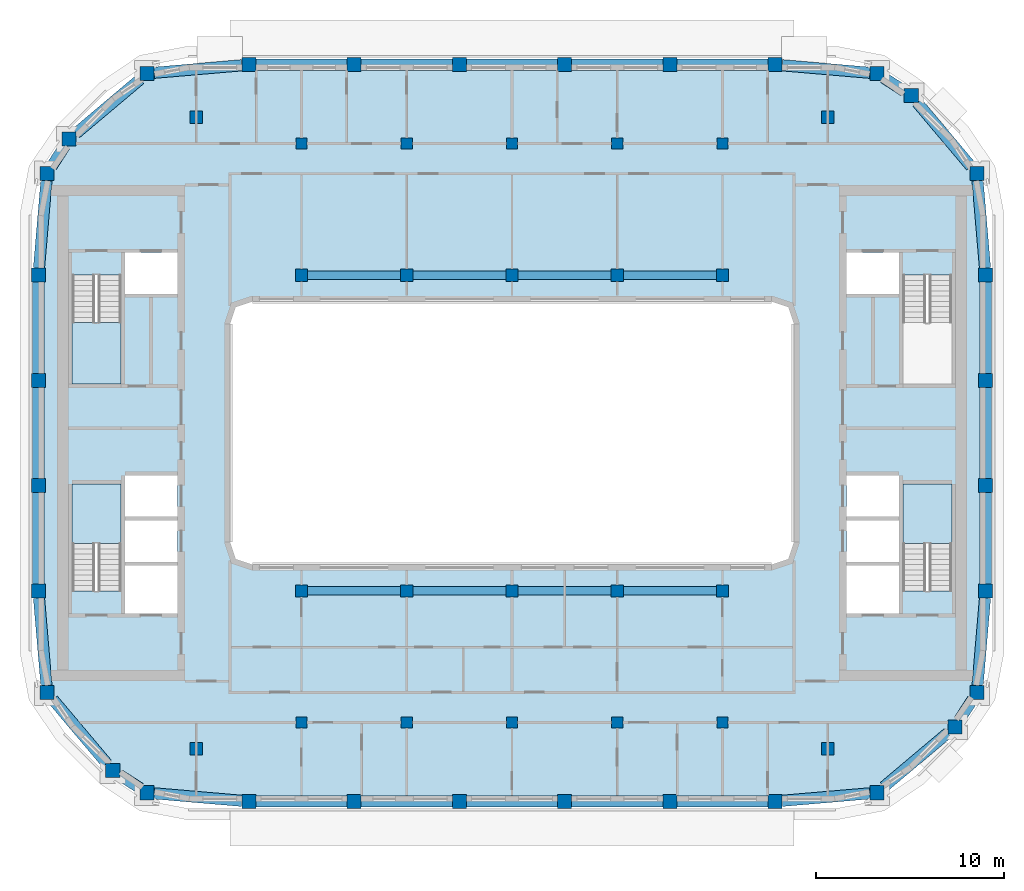
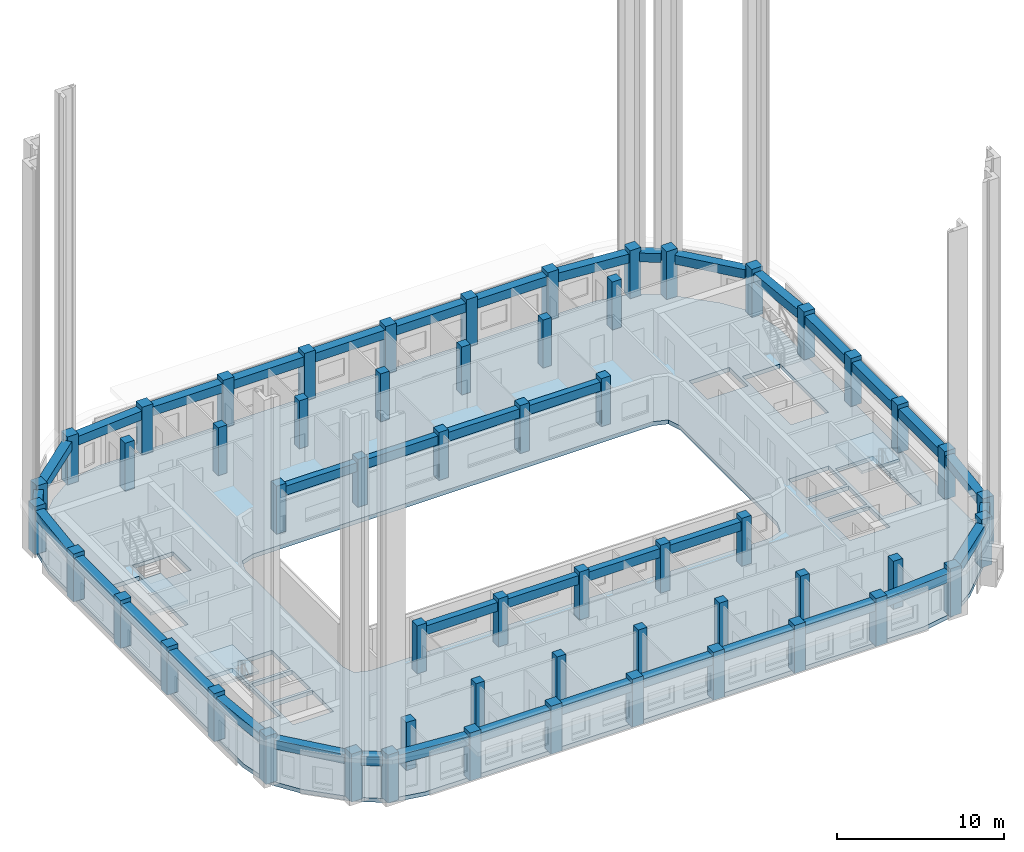
# One storey, part 1 of 15: 56 columns, 40 beams, 4 slabs, 3 elements without a shape of their own.
"""IFC4 building model written with IfcOpenShell, lengths in metres."""

from ifc_helpers import new_model, si_unit, direction, frame, origin, origin_2d, place, context, subcontext, project, spatial, polyline, rectangle, outline, extrude, material, layer, layer_set, material_profile, profile_set, type_object, element, aggregate, save


model = new_model("IFC4")

# Units and contexts
model_context = context("Model", 3, precision=1e-05, world=origin(), true_north=direction((0.0, 1.0)))
body_context = subcontext(model_context, "Body", "Model", "MODEL_VIEW")
ifc_project = project(units=[si_unit("LENGTHUNIT", "METRE"), si_unit("AREAUNIT", "SQUARE_METRE"), si_unit("VOLUMEUNIT", "CUBIC_METRE"), si_unit("PLANEANGLEUNIT", "RADIAN"), si_unit("MASSUNIT", "GRAM", prefix="KILO")], contexts=[model_context])

# Site, building, storey
site_placement = place(None, origin())
site = spatial("IfcSite", under=ifc_project, at=site_placement, CompositionType="ELEMENT")
building_placement = place(site_placement, origin())
building = spatial("IfcBuilding", under=site, at=building_placement, Name="Kiln Ring Residences", CompositionType="ELEMENT")
storey_placement = place(building_placement, frame((0.0, 0.0, 266.199951171875)))
storey = spatial("IfcBuildingStorey", under=building, at=storey_placement, Name="L69", CompositionType="ELEMENT", Elevation=266.199951171875)

# Columns
ifc_material_1 = material(Name="Concrete C60/75", Category="concrete")
ifc_material_profile_1 = material_profile(ifc_material_1, rectangle(XDim=0.60009765625, YDim=0.60009765625, at=origin_2d()), Name="RC600x600")
ifc_profile_set_1 = profile_set([ifc_material_profile_1], Name="Concrete C60/75")
column_type_1 = type_object("IfcColumnType", Name="Corridor column RC600x600 C60/75", PredefinedType="COLUMN", material=ifc_profile_set_1)
for number, where, z_axis, x_axis, name in (
    (1, (-11.199951171875, 15.39990234375, 0.0), (0.0, 0.0, 1.0), (1.0, 0.0, 0.0), "Corridor column L69 1"),
    (2, (-5.60009765625, 15.39990234375, 0.0), (0.0, 0.0, 1.0), (1.0, 0.0, 0.0), "Corridor column L69 2"),
    (3, (0.0, 15.39990234375, 0.0), (0.0, 0.0, 1.0), (1.0, 0.0, 0.0), "Corridor column L69 3"),
    (4, (5.60009765625, 15.39990234375, 0.0), (0.0, 0.0, 1.0), (1.0, 0.0, 0.0), "Corridor column L69 4"),
    (5, (11.199951171875, 15.39990234375, 0.0), (0.0, 0.0, 1.0), (1.0, 0.0, 0.0), "Corridor column L69 5"),
    (6, (-11.199951171875, -15.39990234375, 0.0), (0.0, 0.0, 1.0), (1.0, 0.0, 0.0), "Corridor column L69 6"),
    (7, (-5.60009765625, -15.39990234375, 0.0), (0.0, 0.0, 1.0), (1.0, 0.0, 0.0), "Corridor column L69 7"),
    (8, (0.0, -15.39990234375, 0.0), (0.0, 0.0, 1.0), (1.0, 0.0, 0.0), "Corridor column L69 8"),
    (9, (5.60009765625, -15.39990234375, 0.0), (0.0, 0.0, 1.0), (1.0, 0.0, 0.0), "Corridor column L69 9"),
    (10, (11.199951171875, -15.39990234375, 0.0), (0.0, 0.0, 1.0), (1.0, 0.0, 0.0), "Corridor column L69 10"),
):
    element("IfcColumn", number, at=place(storey_placement, frame(where, z_axis=z_axis, x_axis=x_axis)), inside=storey, type_object=column_type_1, Name=name, PredefinedType="COLUMN", context=body_context, shape_type="SweptSolid", body=[
        extrude(rectangle(XDim=0.60009765625, YDim=0.60009765625, at=origin_2d()), origin(), (0.0, 0.0, 1.0), 3.5),
    ])
ifc_material_2 = material(Name="Concrete C60/75", Category="concrete")
ifc_material_profile_2 = material_profile(ifc_material_2, rectangle(XDim=0.75, YDim=0.75, at=origin_2d()), Name="RC750x750")
ifc_profile_set_2 = profile_set([ifc_material_profile_2], Name="Concrete C60/75")
column_type_2 = type_object("IfcColumnType", Name="Perimeter column RC750x750 C60/75", PredefinedType="COLUMN", material=ifc_profile_set_2)
for number, where, z_axis, x_axis, name in (
    (11, (-19.40869140625, -19.13818359375, 0.0), (0.0, 0.0, 1.0), (1.0, 0.0, 0.0), "Perimeter column L69 1"),
    (12, (-14.0, -19.60009765625, 0.0), (0.0, 0.0, 1.0), (1.0, 0.0, 0.0), "Perimeter column L69 2"),
    (13, (-8.39990234375, -19.60009765625, 0.0), (0.0, 0.0, 1.0), (1.0, 0.0, 0.0), "Perimeter column L69 3"),
    (14, (-2.800048828125, -19.60009765625, 0.0), (0.0, 0.0, 1.0), (1.0, 0.0, 0.0), "Perimeter column L69 4"),
    (15, (2.800048828125, -19.60009765625, 0.0), (0.0, 0.0, 1.0), (1.0, 0.0, 0.0), "Perimeter column L69 5"),
    (16, (8.39990234375, -19.60009765625, 0.0), (0.0, 0.0, 1.0), (1.0, 0.0, 0.0), "Perimeter column L69 6"),
    (17, (14.0, -19.60009765625, 0.0), (0.0, 0.0, 1.0), (1.0, 0.0, 0.0), "Perimeter column L69 7"),
    (18, (19.40869140625, -19.13818359375, 0.0), (0.0, 0.0, 1.0), (1.0, 0.0, 0.0), "Perimeter column L69 8"),
    (19, (23.559814453125, -15.64013671875, 0.0), (0.0, 0.0, 1.0), (1.0, 0.0, 0.0), "Perimeter column L69 9"),
    (20, (24.738037109375, -13.80859375, 0.0), (0.0, 0.0, 1.0), (1.0, 0.0, 0.0), "Perimeter column L69 10"),
    (21, (25.199951171875, -8.39990234375, 0.0), (0.0, 0.0, 1.0), (1.0, 0.0, 0.0), "Perimeter column L69 11"),
    (22, (25.199951171875, -2.800048828125, 0.0), (0.0, 0.0, 1.0), (1.0, 0.0, 0.0), "Perimeter column L69 12"),
    (23, (25.199951171875, 2.800048828125, 0.0), (0.0, 0.0, 1.0), (1.0, 0.0, 0.0), "Perimeter column L69 13"),
    (24, (25.199951171875, 8.39990234375, 0.0), (0.0, 0.0, 1.0), (1.0, 0.0, 0.0), "Perimeter column L69 14"),
    (25, (24.738037109375, 13.80859375, 0.0), (0.0, 0.0, 1.0), (1.0, 0.0, 0.0), "Perimeter column L69 15"),
    (26, (21.240234375, 17.959716796875, 0.0), (0.0, 0.0, 1.0), (1.0, 0.0, 0.0), "Perimeter column L69 16"),
    (27, (19.40869140625, 19.13818359375, 0.0), (0.0, 0.0, 1.0), (1.0, 0.0, 0.0), "Perimeter column L69 17"),
    (28, (14.0, 19.60009765625, 0.0), (0.0, 0.0, 1.0), (1.0, 0.0, 0.0), "Perimeter column L69 18"),
    (29, (8.39990234375, 19.60009765625, 0.0), (0.0, 0.0, 1.0), (1.0, 0.0, 0.0), "Perimeter column L69 19"),
    (30, (2.800048828125, 19.60009765625, 0.0), (0.0, 0.0, 1.0), (1.0, 0.0, 0.0), "Perimeter column L69 20"),
    (31, (-2.800048828125, 19.60009765625, 0.0), (0.0, 0.0, 1.0), (1.0, 0.0, 0.0), "Perimeter column L69 21"),
    (32, (-8.39990234375, 19.60009765625, 0.0), (0.0, 0.0, 1.0), (1.0, 0.0, 0.0), "Perimeter column L69 22"),
    (33, (-14.0, 19.60009765625, 0.0), (0.0, 0.0, 1.0), (1.0, 0.0, 0.0), "Perimeter column L69 23"),
    (34, (-19.40869140625, 19.13818359375, 0.0), (0.0, 0.0, 1.0), (1.0, 0.0, 0.0), "Perimeter column L69 24"),
    (35, (-23.559814453125, 15.64013671875, 0.0), (0.0, 0.0, 1.0), (1.0, 0.0, 0.0), "Perimeter column L69 25"),
    (36, (-24.738037109375, 13.80859375, 0.0), (0.0, 0.0, 1.0), (1.0, 0.0, 0.0), "Perimeter column L69 26"),
    (37, (-25.199951171875, 8.39990234375, 0.0), (0.0, 0.0, 1.0), (1.0, 0.0, 0.0), "Perimeter column L69 27"),
    (38, (-25.199951171875, 2.800048828125, 0.0), (0.0, 0.0, 1.0), (1.0, 0.0, 0.0), "Perimeter column L69 28"),
    (39, (-25.199951171875, -2.800048828125, 0.0), (0.0, 0.0, 1.0), (1.0, 0.0, 0.0), "Perimeter column L69 29"),
    (40, (-25.199951171875, -8.39990234375, 0.0), (0.0, 0.0, 1.0), (1.0, 0.0, 0.0), "Perimeter column L69 30"),
    (41, (-24.738037109375, -13.80859375, 0.0), (0.0, 0.0, 1.0), (1.0, 0.0, 0.0), "Perimeter column L69 31"),
    (42, (-21.240234375, -17.959716796875, 0.0), (0.0, 0.0, 1.0), (1.0, 0.0, 0.0), "Perimeter column L69 32"),
):
    element("IfcColumn", number, at=place(storey_placement, frame(where, z_axis=z_axis, x_axis=x_axis)), inside=storey, type_object=column_type_2, Name=name, PredefinedType="COLUMN", context=body_context, shape_type="SweptSolid", body=[
        extrude(rectangle(XDim=0.75, YDim=0.75, at=origin_2d()), origin(), (0.0, 0.0, 1.0), 3.5),
    ])
ifc_material_3 = material(Name="Concrete C60/75", Category="concrete")
ifc_material_profile_3 = material_profile(ifc_material_3, rectangle(XDim=0.64990234375, YDim=0.64990234375, at=origin_2d()), Name="RC650x650")
ifc_profile_set_3 = profile_set([ifc_material_profile_3], Name="Concrete C60/75")
column_type_3 = type_object("IfcColumnType", Name="Ring column RC650x650 C60/75", PredefinedType="COLUMN", material=ifc_profile_set_3)
for number, where, z_axis, x_axis, name in (
    (43, (-16.800048828125, -16.800048828125, 0.0), (0.0, 0.0, 1.0), (1.0, 0.0, 0.0), "Ring column L69 1"),
    (44, (-16.800048828125, 16.800048828125, 0.0), (0.0, 0.0, 1.0), (1.0, 0.0, 0.0), "Ring column L69 2"),
    (45, (-11.199951171875, -8.39990234375, 0.0), (0.0, 0.0, 1.0), (1.0, 0.0, 0.0), "Ring column L69 3"),
    (46, (-11.199951171875, 8.39990234375, 0.0), (0.0, 0.0, 1.0), (1.0, 0.0, 0.0), "Ring column L69 4"),
    (47, (-5.60009765625, -8.39990234375, 0.0), (0.0, 0.0, 1.0), (1.0, 0.0, 0.0), "Ring column L69 5"),
    (48, (-5.60009765625, 8.39990234375, 0.0), (0.0, 0.0, 1.0), (1.0, 0.0, 0.0), "Ring column L69 6"),
    (49, (0.0, -8.39990234375, 0.0), (0.0, 0.0, 1.0), (1.0, 0.0, 0.0), "Ring column L69 7"),
    (50, (0.0, 8.39990234375, 0.0), (0.0, 0.0, 1.0), (1.0, 0.0, 0.0), "Ring column L69 8"),
    (51, (5.60009765625, -8.39990234375, 0.0), (0.0, 0.0, 1.0), (1.0, 0.0, 0.0), "Ring column L69 9"),
    (52, (5.60009765625, 8.39990234375, 0.0), (0.0, 0.0, 1.0), (1.0, 0.0, 0.0), "Ring column L69 10"),
    (53, (11.199951171875, -8.39990234375, 0.0), (0.0, 0.0, 1.0), (1.0, 0.0, 0.0), "Ring column L69 11"),
    (54, (11.199951171875, 8.39990234375, 0.0), (0.0, 0.0, 1.0), (1.0, 0.0, 0.0), "Ring column L69 12"),
    (55, (16.800048828125, -16.800048828125, 0.0), (0.0, 0.0, 1.0), (1.0, 0.0, 0.0), "Ring column L69 13"),
    (56, (16.800048828125, 16.800048828125, 0.0), (0.0, 0.0, 1.0), (1.0, 0.0, 0.0), "Ring column L69 14"),
):
    element("IfcColumn", number, at=place(storey_placement, frame(where, z_axis=z_axis, x_axis=x_axis)), inside=storey, type_object=column_type_3, Name=name, PredefinedType="COLUMN", context=body_context, shape_type="SweptSolid", body=[
        extrude(rectangle(XDim=0.64990234375, YDim=0.64990234375, at=origin_2d()), origin(), (0.0, 0.0, 1.0), 3.5),
    ])

# Beams
ifc_material_4 = material(Name="Concrete C50/60", Category="concrete")
ifc_material_profile_4 = material_profile(ifc_material_4, rectangle(XDim=0.449951171875, YDim=0.64990234375, at=origin_2d()), Name="RC450x650")
ifc_profile_set_4 = profile_set([ifc_material_profile_4], Name="Concrete C50/60")
beam_type_1 = type_object("IfcBeamType", Name="Ring beam RC450x650 C50/60", PredefinedType="BEAM", material=ifc_profile_set_4)
for number, where, z_axis, x_axis, name in (
    (57, (-10.875, -8.39990234375, 2.875), (1.0, 0.0, 0.0), (0.0, 1.0, 0.0), "Ring beam L69 1"),
    (58, (-5.27490234375, -8.39990234375, 2.875), (1.0, 0.0, 0.0), (0.0, 1.0, 0.0), "Ring beam L69 2"),
    (59, (0.324951171875, -8.39990234375, 2.875), (1.0, 0.0, 0.0), (0.0, 1.0, 0.0), "Ring beam L69 3"),
    (60, (5.925048828125, -8.39990234375, 2.875), (1.0, 0.0, 0.0), (0.0, 1.0, 0.0), "Ring beam L69 4"),
    (61, (-10.875, 8.39990234375, 2.875), (1.0, 0.0, 0.0), (0.0, 1.0, 0.0), "Ring beam L69 5"),
    (62, (-5.27490234375, 8.39990234375, 2.875), (1.0, 0.0, 0.0), (0.0, 1.0, 0.0), "Ring beam L69 6"),
    (63, (0.324951171875, 8.39990234375, 2.875), (1.0, 0.0, 0.0), (0.0, 1.0, 0.0), "Ring beam L69 7"),
    (64, (5.925048828125, 8.39990234375, 2.875), (1.0, 0.0, 0.0), (0.0, 1.0, 0.0), "Ring beam L69 8"),
):
    element("IfcBeam", number, at=place(storey_placement, frame(where, z_axis=z_axis, x_axis=x_axis)), inside=storey, type_object=beam_type_1, Name=name, PredefinedType="BEAM", context=body_context, shape_type="SweptSolid", body=[
        extrude(rectangle(XDim=0.449951171875, YDim=0.64990234375, at=origin_2d()), origin(), (0.0, 0.0, 1.0), 4.949951171875),
    ])
ifc_material_5 = material(Name="Concrete C50/60", Category="concrete")
ifc_material_profile_5 = material_profile(ifc_material_5, rectangle(XDim=0.60009765625, YDim=0.64990234375, at=origin_2d()), Name="RC600x650")
ifc_profile_set_5 = profile_set([ifc_material_profile_5], Name="Concrete C50/60")
beam_type_2 = type_object("IfcBeamType", Name="Spandrel beam RC600x650 C50/60", PredefinedType="SPANDREL", material=ifc_profile_set_5)
beam_1_placement = place(storey_placement, frame((-19.03369140625, -19.170166015625, 2.875), z_axis=(0.996375913916, -0.085059027553, 0.0), x_axis=(0.085059027553, 0.996375913916, 0.0)))
element("IfcBeam", 65, at=beam_1_placement, inside=storey, type_object=beam_type_2, Name="Spandrel beam L69 1", PredefinedType="SPANDREL", context=body_context, shape_type="SweptSolid", body=[
    extrude(rectangle(XDim=0.60009765625, YDim=0.64990234375, at=origin_2d()), origin(), (0.0, 0.0, 1.0), 4.675537109375),
])
beam_2_placement = place(storey_placement, frame((-13.625, -19.60009765625, 2.875), z_axis=(1.0, 0.0, 0.0), x_axis=(0.0, 1.0, 0.0)))
element("IfcBeam", 66, at=beam_2_placement, inside=storey, type_object=beam_type_2, Name="Spandrel beam L69 2", PredefinedType="SPANDREL", context=body_context, shape_type="SweptSolid", body=[
    extrude(rectangle(XDim=0.60009765625, YDim=0.64990234375, at=origin_2d()), origin(), (0.0, 0.0, 1.0), 4.85009765625),
])
beam_3_placement = place(storey_placement, frame((-8.02490234375, -19.60009765625, 2.875), z_axis=(1.0, 0.0, 0.0), x_axis=(0.0, 1.0, 0.0)))
element("IfcBeam", 67, at=beam_3_placement, inside=storey, type_object=beam_type_2, Name="Spandrel beam L69 3", PredefinedType="SPANDREL", context=body_context, shape_type="SweptSolid", body=[
    extrude(rectangle(XDim=0.60009765625, YDim=0.64990234375, at=origin_2d()), origin(), (0.0, 0.0, 1.0), 4.849853515625),
])
beam_4_placement = place(storey_placement, frame((-2.425048828125, -19.60009765625, 2.875), z_axis=(1.0, 0.0, 0.0), x_axis=(0.0, 1.0, 0.0)))
element("IfcBeam", 68, at=beam_4_placement, inside=storey, type_object=beam_type_2, Name="Spandrel beam L69 4", PredefinedType="SPANDREL", context=body_context, shape_type="SweptSolid", body=[
    extrude(rectangle(XDim=0.60009765625, YDim=0.64990234375, at=origin_2d()), origin(), (0.0, 0.0, 1.0), 4.85009765625),
])
beam_5_placement = place(storey_placement, frame((3.175048828125, -19.60009765625, 2.875), z_axis=(1.0, 0.0, 0.0), x_axis=(0.0, 1.0, 0.0)))
element("IfcBeam", 69, at=beam_5_placement, inside=storey, type_object=beam_type_2, Name="Spandrel beam L69 5", PredefinedType="SPANDREL", context=body_context, shape_type="SweptSolid", body=[
    extrude(rectangle(XDim=0.60009765625, YDim=0.64990234375, at=origin_2d()), origin(), (0.0, 0.0, 1.0), 4.849853515625),
])
beam_6_placement = place(storey_placement, frame((8.77490234375, -19.60009765625, 2.875), z_axis=(1.0, 0.0, 0.0), x_axis=(0.0, 1.0, 0.0)))
element("IfcBeam", 70, at=beam_6_placement, inside=storey, type_object=beam_type_2, Name="Spandrel beam L69 6", PredefinedType="SPANDREL", context=body_context, shape_type="SweptSolid", body=[
    extrude(rectangle(XDim=0.60009765625, YDim=0.64990234375, at=origin_2d()), origin(), (0.0, 0.0, 1.0), 4.85009765625),
])
beam_7_placement = place(storey_placement, frame((14.375, -19.56787109375, 2.875), z_axis=(0.996375913916, 0.085059027553, 0.0), x_axis=(-0.085059027553, 0.996375913916, 0.0)))
element("IfcBeam", 71, at=beam_7_placement, inside=storey, type_object=beam_type_2, Name="Spandrel beam L69 7", PredefinedType="SPANDREL", context=body_context, shape_type="SweptSolid", body=[
    extrude(rectangle(XDim=0.60009765625, YDim=0.64990234375, at=origin_2d()), origin(), (0.0, 0.0, 1.0), 4.675537109375),
])
beam_8_placement = place(storey_placement, frame((19.78369140625, -18.822021484375, 2.875), z_axis=(0.764731805725, 0.644348714062, 0.0), x_axis=(-0.644348714062, 0.764731805725, 0.0)))
element("IfcBeam", 72, at=beam_8_placement, inside=storey, type_object=beam_type_2, Name="Spandrel beam L69 8", PredefinedType="SPANDREL", context=body_context, shape_type="SweptSolid", body=[
    extrude(rectangle(XDim=0.60009765625, YDim=0.64990234375, at=origin_2d()), origin(), (0.0, 0.0, 1.0), 4.447509765625),
])
beam_9_placement = place(storey_placement, frame((23.801025390625, -15.26513671875, 2.875), z_axis=(0.541045404444, 0.840993383048, 0.0), x_axis=(-0.840993383048, 0.541045404444, 0.0)))
element("IfcBeam", 73, at=beam_9_placement, inside=storey, type_object=beam_type_2, Name="Spandrel beam L69 9", PredefinedType="SPANDREL", context=body_context, shape_type="SweptSolid", body=[
    extrude(rectangle(XDim=0.60009765625, YDim=0.64990234375, at=origin_2d()), origin(), (0.0, 0.0, 1.0), 1.2861328125),
])
beam_10_placement = place(storey_placement, frame((24.77001953125, -13.43359375, 2.875), z_axis=(0.085110864913, 0.996371487285, 0.0), x_axis=(-0.996371487285, 0.085110864913, 0.0)))
element("IfcBeam", 74, at=beam_10_placement, inside=storey, type_object=beam_type_2, Name="Spandrel beam L69 10", PredefinedType="SPANDREL", context=body_context, shape_type="SweptSolid", body=[
    extrude(rectangle(XDim=0.60009765625, YDim=0.64990234375, at=origin_2d()), origin(), (0.0, 0.0, 1.0), 4.675537109375),
])
beam_11_placement = place(storey_placement, frame((25.199951171875, -8.02490234375, 2.875), z_axis=(0.0, 1.0, 0.0), x_axis=(-1.0, 0.0, 0.0)))
element("IfcBeam", 75, at=beam_11_placement, inside=storey, type_object=beam_type_2, Name="Spandrel beam L69 11", PredefinedType="SPANDREL", context=body_context, shape_type="SweptSolid", body=[
    extrude(rectangle(XDim=0.60009765625, YDim=0.64990234375, at=origin_2d()), origin(), (0.0, 0.0, 1.0), 4.849853515625),
])
beam_12_placement = place(storey_placement, frame((25.199951171875, -2.425048828125, 2.875), z_axis=(0.0, 1.0, 0.0), x_axis=(-1.0, 0.0, 0.0)))
element("IfcBeam", 76, at=beam_12_placement, inside=storey, type_object=beam_type_2, Name="Spandrel beam L69 12", PredefinedType="SPANDREL", context=body_context, shape_type="SweptSolid", body=[
    extrude(rectangle(XDim=0.60009765625, YDim=0.64990234375, at=origin_2d()), origin(), (0.0, 0.0, 1.0), 4.85009765625),
])
beam_13_placement = place(storey_placement, frame((25.199951171875, 3.175048828125, 2.875), z_axis=(0.0, 1.0, 0.0), x_axis=(-1.0, 0.0, 0.0)))
element("IfcBeam", 77, at=beam_13_placement, inside=storey, type_object=beam_type_2, Name="Spandrel beam L69 13", PredefinedType="SPANDREL", context=body_context, shape_type="SweptSolid", body=[
    extrude(rectangle(XDim=0.60009765625, YDim=0.64990234375, at=origin_2d()), origin(), (0.0, 0.0, 1.0), 4.849853515625),
])
beam_14_placement = place(storey_placement, frame((25.16796875, 8.77490234375, 2.875), z_axis=(-0.085110864913, 0.996371487285, 0.0), x_axis=(-0.996371487285, -0.085110864913, 0.0)))
element("IfcBeam", 78, at=beam_14_placement, inside=storey, type_object=beam_type_2, Name="Spandrel beam L69 14", PredefinedType="SPANDREL", context=body_context, shape_type="SweptSolid", body=[
    extrude(rectangle(XDim=0.60009765625, YDim=0.64990234375, at=origin_2d()), origin(), (0.0, 0.0, 1.0), 4.675537109375),
])
beam_15_placement = place(storey_placement, frame((24.422119140625, 14.18359375, 2.875), z_axis=(-0.644380815325, 0.764704756648, 0.0), x_axis=(-0.764704756648, -0.644380815325, 0.0)))
element("IfcBeam", 79, at=beam_15_placement, inside=storey, type_object=beam_type_2, Name="Spandrel beam L69 15", PredefinedType="SPANDREL", context=body_context, shape_type="SweptSolid", body=[
    extrude(rectangle(XDim=0.60009765625, YDim=0.64990234375, at=origin_2d()), origin(), (0.0, 0.0, 1.0), 4.447509765625),
])
beam_16_placement = place(storey_placement, frame((20.865234375, 18.201171875, 2.875), z_axis=(-0.841079761586, 0.540911115295, 0.0), x_axis=(-0.540911115295, -0.841079761586, 0.0)))
element("IfcBeam", 80, at=beam_16_placement, inside=storey, type_object=beam_type_2, Name="Spandrel beam L69 16", PredefinedType="SPANDREL", context=body_context, shape_type="SweptSolid", body=[
    extrude(rectangle(XDim=0.60009765625, YDim=0.64990234375, at=origin_2d()), origin(), (0.0, 0.0, 1.0), 1.285888671875),
])
beam_17_placement = place(storey_placement, frame((19.03369140625, 19.170166015625, 2.875), z_axis=(-0.996375913916, 0.085059027553, 0.0), x_axis=(-0.085059027553, -0.996375913916, 0.0)))
element("IfcBeam", 81, at=beam_17_placement, inside=storey, type_object=beam_type_2, Name="Spandrel beam L69 17", PredefinedType="SPANDREL", context=body_context, shape_type="SweptSolid", body=[
    extrude(rectangle(XDim=0.60009765625, YDim=0.64990234375, at=origin_2d()), origin(), (0.0, 0.0, 1.0), 4.675537109375),
])
beam_18_placement = place(storey_placement, frame((13.625, 19.60009765625, 2.875), z_axis=(-1.0, 0.0, 0.0), x_axis=(0.0, -1.0, 0.0)))
element("IfcBeam", 82, at=beam_18_placement, inside=storey, type_object=beam_type_2, Name="Spandrel beam L69 18", PredefinedType="SPANDREL", context=body_context, shape_type="SweptSolid", body=[
    extrude(rectangle(XDim=0.60009765625, YDim=0.64990234375, at=origin_2d()), origin(), (0.0, 0.0, 1.0), 4.85009765625),
])
beam_19_placement = place(storey_placement, frame((8.02490234375, 19.60009765625, 2.875), z_axis=(-1.0, 0.0, 0.0), x_axis=(0.0, -1.0, 0.0)))
element("IfcBeam", 83, at=beam_19_placement, inside=storey, type_object=beam_type_2, Name="Spandrel beam L69 19", PredefinedType="SPANDREL", context=body_context, shape_type="SweptSolid", body=[
    extrude(rectangle(XDim=0.60009765625, YDim=0.64990234375, at=origin_2d()), origin(), (0.0, 0.0, 1.0), 4.849853515625),
])
beam_20_placement = place(storey_placement, frame((2.425048828125, 19.60009765625, 2.875), z_axis=(-1.0, 0.0, 0.0), x_axis=(0.0, -1.0, 0.0)))
element("IfcBeam", 84, at=beam_20_placement, inside=storey, type_object=beam_type_2, Name="Spandrel beam L69 20", PredefinedType="SPANDREL", context=body_context, shape_type="SweptSolid", body=[
    extrude(rectangle(XDim=0.60009765625, YDim=0.64990234375, at=origin_2d()), origin(), (0.0, 0.0, 1.0), 4.85009765625),
])
beam_21_placement = place(storey_placement, frame((-3.175048828125, 19.60009765625, 2.875), z_axis=(-1.0, 0.0, 0.0), x_axis=(0.0, -1.0, 0.0)))
element("IfcBeam", 85, at=beam_21_placement, inside=storey, type_object=beam_type_2, Name="Spandrel beam L69 21", PredefinedType="SPANDREL", context=body_context, shape_type="SweptSolid", body=[
    extrude(rectangle(XDim=0.60009765625, YDim=0.64990234375, at=origin_2d()), origin(), (0.0, 0.0, 1.0), 4.849853515625),
])
beam_22_placement = place(storey_placement, frame((-8.77490234375, 19.60009765625, 2.875), z_axis=(-1.0, 0.0, 0.0), x_axis=(0.0, -1.0, 0.0)))
element("IfcBeam", 86, at=beam_22_placement, inside=storey, type_object=beam_type_2, Name="Spandrel beam L69 22", PredefinedType="SPANDREL", context=body_context, shape_type="SweptSolid", body=[
    extrude(rectangle(XDim=0.60009765625, YDim=0.64990234375, at=origin_2d()), origin(), (0.0, 0.0, 1.0), 4.85009765625),
])
beam_23_placement = place(storey_placement, frame((-14.375, 19.56787109375, 2.875), z_axis=(-0.996375913916, -0.085059027553, 0.0), x_axis=(0.085059027553, -0.996375913916, 0.0)))
element("IfcBeam", 87, at=beam_23_placement, inside=storey, type_object=beam_type_2, Name="Spandrel beam L69 23", PredefinedType="SPANDREL", context=body_context, shape_type="SweptSolid", body=[
    extrude(rectangle(XDim=0.60009765625, YDim=0.64990234375, at=origin_2d()), origin(), (0.0, 0.0, 1.0), 4.675537109375),
])
beam_24_placement = place(storey_placement, frame((-19.78369140625, 18.822021484375, 2.875), z_axis=(-0.764731805725, -0.644348714062, 0.0), x_axis=(0.644348714062, -0.764731805725, 0.0)))
element("IfcBeam", 88, at=beam_24_placement, inside=storey, type_object=beam_type_2, Name="Spandrel beam L69 24", PredefinedType="SPANDREL", context=body_context, shape_type="SweptSolid", body=[
    extrude(rectangle(XDim=0.60009765625, YDim=0.64990234375, at=origin_2d()), origin(), (0.0, 0.0, 1.0), 4.447509765625),
])
beam_25_placement = place(storey_placement, frame((-23.801025390625, 15.26513671875, 2.875), z_axis=(-0.541045404444, -0.840993383048, 0.0), x_axis=(0.840993383048, -0.541045404444, 0.0)))
element("IfcBeam", 89, at=beam_25_placement, inside=storey, type_object=beam_type_2, Name="Spandrel beam L69 25", PredefinedType="SPANDREL", context=body_context, shape_type="SweptSolid", body=[
    extrude(rectangle(XDim=0.60009765625, YDim=0.64990234375, at=origin_2d()), origin(), (0.0, 0.0, 1.0), 1.2861328125),
])
beam_26_placement = place(storey_placement, frame((-24.77001953125, 13.43359375, 2.875), z_axis=(-0.085110864913, -0.996371487285, 0.0), x_axis=(0.996371487285, -0.085110864913, 0.0)))
element("IfcBeam", 90, at=beam_26_placement, inside=storey, type_object=beam_type_2, Name="Spandrel beam L69 26", PredefinedType="SPANDREL", context=body_context, shape_type="SweptSolid", body=[
    extrude(rectangle(XDim=0.60009765625, YDim=0.64990234375, at=origin_2d()), origin(), (0.0, 0.0, 1.0), 4.675537109375),
])
beam_27_placement = place(storey_placement, frame((-25.199951171875, 8.02490234375, 2.875), z_axis=(0.0, -1.0, 0.0), x_axis=(1.0, 0.0, 0.0)))
element("IfcBeam", 91, at=beam_27_placement, inside=storey, type_object=beam_type_2, Name="Spandrel beam L69 27", PredefinedType="SPANDREL", context=body_context, shape_type="SweptSolid", body=[
    extrude(rectangle(XDim=0.60009765625, YDim=0.64990234375, at=origin_2d()), origin(), (0.0, 0.0, 1.0), 4.849853515625),
])
beam_28_placement = place(storey_placement, frame((-25.199951171875, 2.425048828125, 2.875), z_axis=(0.0, -1.0, 0.0), x_axis=(1.0, 0.0, 0.0)))
element("IfcBeam", 92, at=beam_28_placement, inside=storey, type_object=beam_type_2, Name="Spandrel beam L69 28", PredefinedType="SPANDREL", context=body_context, shape_type="SweptSolid", body=[
    extrude(rectangle(XDim=0.60009765625, YDim=0.64990234375, at=origin_2d()), origin(), (0.0, 0.0, 1.0), 4.85009765625),
])
beam_29_placement = place(storey_placement, frame((-25.199951171875, -3.175048828125, 2.875), z_axis=(0.0, -1.0, 0.0), x_axis=(1.0, 0.0, 0.0)))
element("IfcBeam", 93, at=beam_29_placement, inside=storey, type_object=beam_type_2, Name="Spandrel beam L69 29", PredefinedType="SPANDREL", context=body_context, shape_type="SweptSolid", body=[
    extrude(rectangle(XDim=0.60009765625, YDim=0.64990234375, at=origin_2d()), origin(), (0.0, 0.0, 1.0), 4.849853515625),
])
beam_30_placement = place(storey_placement, frame((-25.16796875, -8.77490234375, 2.875), z_axis=(0.085110864913, -0.996371487285, 0.0), x_axis=(0.996371487285, 0.085110864913, 0.0)))
element("IfcBeam", 94, at=beam_30_placement, inside=storey, type_object=beam_type_2, Name="Spandrel beam L69 30", PredefinedType="SPANDREL", context=body_context, shape_type="SweptSolid", body=[
    extrude(rectangle(XDim=0.60009765625, YDim=0.64990234375, at=origin_2d()), origin(), (0.0, 0.0, 1.0), 4.675537109375),
])
beam_31_placement = place(storey_placement, frame((-24.422119140625, -14.18359375, 2.875), z_axis=(0.644380815325, -0.764704756648, 0.0), x_axis=(0.764704756648, 0.644380815325, 0.0)))
element("IfcBeam", 95, at=beam_31_placement, inside=storey, type_object=beam_type_2, Name="Spandrel beam L69 31", PredefinedType="SPANDREL", context=body_context, shape_type="SweptSolid", body=[
    extrude(rectangle(XDim=0.60009765625, YDim=0.64990234375, at=origin_2d()), origin(), (0.0, 0.0, 1.0), 4.447509765625),
])
beam_32_placement = place(storey_placement, frame((-20.865234375, -18.201171875, 2.875), z_axis=(0.841079761586, -0.540911115295, 0.0), x_axis=(0.540911115295, 0.841079761586, 0.0)))
element("IfcBeam", 96, at=beam_32_placement, inside=storey, type_object=beam_type_2, Name="Spandrel beam L69 32", PredefinedType="SPANDREL", context=body_context, shape_type="SweptSolid", body=[
    extrude(rectangle(XDim=0.60009765625, YDim=0.64990234375, at=origin_2d()), origin(), (0.0, 0.0, 1.0), 1.285888671875),
])

# Stair, slab
ifc_material_6 = material(Name="Concrete C40/50", Category="concrete")
stair_type = type_object("IfcStairType", Name="CORE-STAIR", PredefinedType="HALF_TURN_STAIR", material=ifc_material_6)
placement_1 = place(storey_placement, origin())
stair_1 = element("IfcStair", 97, at=placement_1, inside=storey, type_object=stair_type, Name="L69 stair W-STN", PredefinedType="HALF_TURN_STAIR")
ifc_material_7 = material(Name="Concrete C40/50", Category="concrete")
ifc_layer_1 = layer(ifc_material_7, 0.199951171875)
ifc_layer_set_1 = layer_set([ifc_layer_1], Name="CORE-STAIR-LANDING")
slab_type_1 = type_object("IfcSlabType", Name="CORE-STAIR-LANDING", PredefinedType="LANDING", material=ifc_layer_set_1)
placement_2 = place(storey_placement, frame((0.0, 0.0, 1.550048828125)))
slab_1 = element("IfcSlab", 98, at=placement_2, type_object=slab_type_1, Name="W-STN landing 1", PredefinedType="LANDING", context=body_context, shape_type="SweptSolid", body=[
    extrude(outline(polyline([(-23.39990234375, 5.8798828125), (-23.39990234375, 2.60009765625), (-20.800048828125, 2.60009765625), (-20.800048828125, 5.8798828125), (-23.39990234375, 5.8798828125)])), origin(), (0.0, 0.0, 1.0), 0.199951171875),
])
aggregate(stair_1, [slab_1])

stair_2 = element("IfcStair", 99, at=placement_1, inside=storey, type_object=stair_type, Name="L69 stair W-STS", PredefinedType="HALF_TURN_STAIR")
slab_2 = element("IfcSlab", 100, at=placement_2, type_object=slab_type_1, Name="W-STS landing 1", PredefinedType="LANDING", context=body_context, shape_type="SweptSolid", body=[
    extrude(outline(polyline([(-20.800048828125, -5.8798828125), (-20.800048828125, -2.699951171875), (-23.39990234375, -2.699951171875), (-23.39990234375, -5.8798828125), (-20.800048828125, -5.8798828125)])), origin(), (0.0, 0.0, 1.0), 0.199951171875),
])
aggregate(stair_2, [slab_2])

stair_3 = element("IfcStair", 101, at=placement_1, inside=storey, type_object=stair_type, Name="L69 stair E-STS", PredefinedType="HALF_TURN_STAIR")
slab_3 = element("IfcSlab", 102, at=placement_2, type_object=slab_type_1, Name="E-STS landing 1", PredefinedType="LANDING", context=body_context, shape_type="SweptSolid", body=[
    extrude(outline(polyline([(23.39990234375, -5.8798828125), (23.39990234375, -2.699951171875), (20.800048828125, -2.699951171875), (20.800048828125, -5.8798828125), (23.39990234375, -5.8798828125)])), origin(), (0.0, 0.0, 1.0), 0.199951171875),
])
aggregate(stair_3, [slab_3])

# Slab
ifc_material_8 = material(Name="Concrete C40/50", Category="concrete")
ifc_layer_2 = layer(ifc_material_8, 0.300048828125)
ifc_layer_set_2 = layer_set([ifc_layer_2], Name="Floor slab 300")
slab_type_2 = type_object("IfcSlabType", Name="Floor slab 300", PredefinedType="FLOOR", material=ifc_layer_set_2)
slab_4_placement = place(storey_placement, frame((0.0, 0.0, -0.300048828125)))
element("IfcSlab", 103, at=slab_4_placement, inside=storey, type_object=slab_type_2, Name="Floor slab L69 1", PredefinedType="FLOOR", context=body_context, shape_type="SweptSolid", body=[
    extrude(outline(polyline([(-23.5029296875, -15.697021484375), (-21.297119140625, -17.90283203125), (-19.42431640625, -19.17578125), (-17.199951171875, -19.60009765625), (17.199951171875, -19.60009765625), (19.42431640625, -19.17578125), (21.297119140625, -17.90283203125), (23.5029296875, -15.697021484375), (24.775634765625, -13.82421875), (25.199951171875, -11.60009765625), (25.199951171875, 11.60009765625), (24.775634765625, 13.82421875), (23.5029296875, 15.697021484375), (21.297119140625, 17.90283203125), (19.42431640625, 19.17578125), (17.199951171875, 19.60009765625), (-17.199951171875, 19.60009765625), (-19.42431640625, 19.17578125), (-21.297119140625, 17.90283203125), (-23.5029296875, 15.697021484375), (-24.775634765625, 13.82421875), (-25.199951171875, 11.60009765625), (-25.199951171875, -11.60009765625), (-24.775634765625, -13.82421875), (-23.5029296875, -15.697021484375)]), holes=[polyline([(-14.699951171875, -6.699951171875), (-15.0, -5.800048828125), (-15.0, 5.800048828125), (-14.699951171875, 6.699951171875), (-13.800048828125, 7.0), (13.800048828125, 7.0), (14.699951171875, 6.699951171875), (15.0, 5.800048828125), (15.0, -5.800048828125), (14.699951171875, -6.699951171875), (13.800048828125, -7.0), (-13.800048828125, -7.0), (-14.699951171875, -6.699951171875)]), polyline([(20.800048828125, -8.39794921875), (20.800048828125, -2.699951171875), (23.39990234375, -2.699951171875), (23.39990234375, -8.39794921875), (20.800048828125, -8.39794921875)]), polyline([(20.800048828125, 2.60009765625), (20.800048828125, 8.39794921875), (23.39990234375, 8.39794921875), (23.39990234375, 2.60009765625), (20.800048828125, 2.60009765625)]), polyline([(17.800048828125, -6.85009765625), (17.800048828125, -4.64990234375), (20.60009765625, -4.64990234375), (20.60009765625, -6.85009765625), (17.800048828125, -6.85009765625)]), polyline([(17.800048828125, 7.39990234375), (17.800048828125, 9.60009765625), (20.60009765625, 9.60009765625), (20.60009765625, 7.39990234375), (17.800048828125, 7.39990234375)]), polyline([(20.60009765625, -9.60009765625), (17.800048828125, -9.60009765625), (17.800048828125, -7.050048828125), (20.60009765625, -7.050048828125), (20.60009765625, -9.60009765625)]), polyline([(20.60009765625, -4.449951171875), (17.800048828125, -4.449951171875), (17.800048828125, -2.25), (20.60009765625, -2.25), (20.60009765625, -4.449951171875)]), polyline([(-17.800048828125, -7.050048828125), (-17.800048828125, -9.60009765625), (-20.60009765625, -9.60009765625), (-20.60009765625, -7.050048828125), (-17.800048828125, -7.050048828125)]), polyline([(-17.800048828125, -6.85009765625), (-20.60009765625, -6.85009765625), (-20.60009765625, -4.64990234375), (-17.800048828125, -4.64990234375), (-17.800048828125, -6.85009765625)]), polyline([(-17.800048828125, -2.25), (-17.800048828125, -4.449951171875), (-20.60009765625, -4.449951171875), (-20.60009765625, -2.25), (-17.800048828125, -2.25)]), polyline([(-17.800048828125, 7.39990234375), (-20.60009765625, 7.39990234375), (-20.60009765625, 9.60009765625), (-17.800048828125, 9.60009765625), (-17.800048828125, 7.39990234375)]), polyline([(-20.800048828125, -8.39794921875), (-23.39990234375, -8.39794921875), (-23.39990234375, -2.699951171875), (-20.800048828125, -2.699951171875), (-20.800048828125, -8.39794921875)]), polyline([(-20.800048828125, 2.60009765625), (-23.39990234375, 2.60009765625), (-23.39990234375, 8.39794921875), (-20.800048828125, 8.39794921875), (-20.800048828125, 2.60009765625)])]), origin(), (0.0, 0.0, 1.0), 0.300048828125),
])

save(model, "model.ifc")
